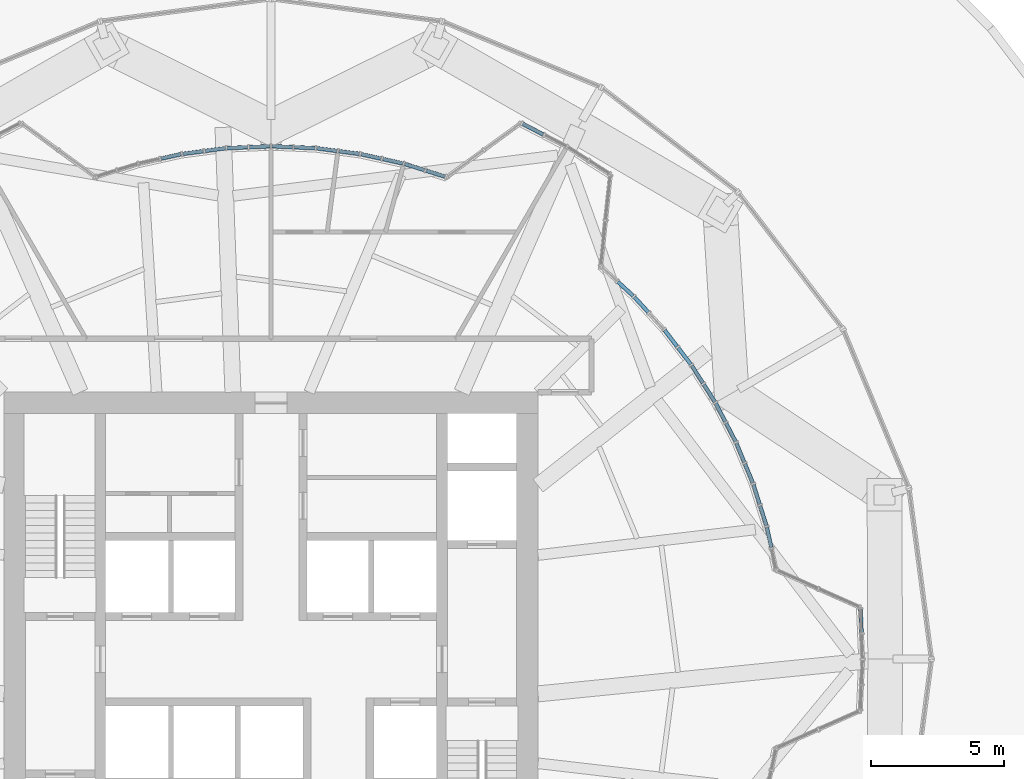
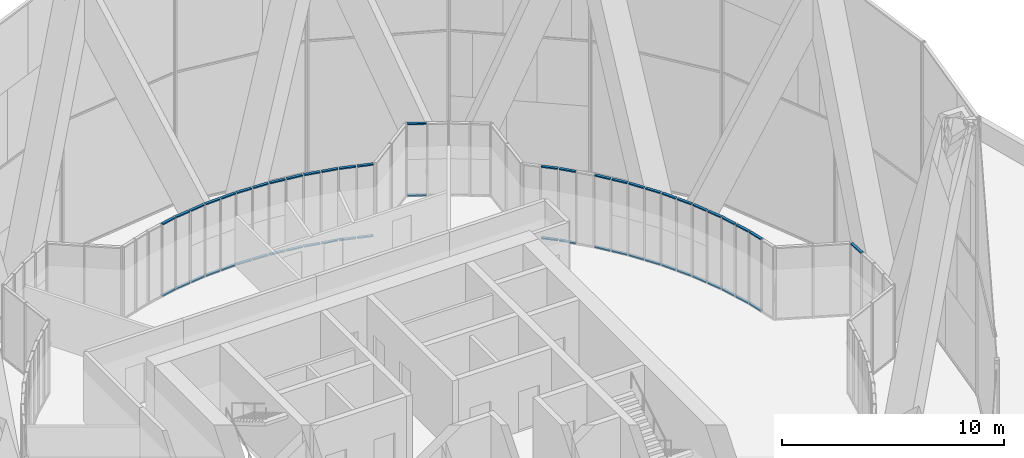
# One storey, part 14 of 27: 55 members, 17 elements without a shape of their own.
"""IFC4 building model written with IfcOpenShell, lengths in metres."""

from ifc_helpers import new_model, si_unit, direction, frame, origin, origin_2d, place, context, subcontext, project, spatial, rectangle, extrude, material, material_profile, profile_set, type_object, element, aggregate, save


model = new_model("IFC4")

# Units and contexts
model_context = context("Model", 3, precision=1e-05, world=origin(), true_north=direction((0.0, 1.0)))
body_context = subcontext(model_context, "Body", "Model", "MODEL_VIEW")
ifc_project = project(units=[si_unit("LENGTHUNIT", "METRE"), si_unit("AREAUNIT", "SQUARE_METRE"), si_unit("VOLUMEUNIT", "CUBIC_METRE"), si_unit("PLANEANGLEUNIT", "RADIAN"), si_unit("MASSUNIT", "GRAM", prefix="KILO")], contexts=[model_context])

# Site, building, storey
site_placement = place(None, origin())
site = spatial("IfcSite", under=ifc_project, at=site_placement, CompositionType="ELEMENT")
building_placement = place(site_placement, origin())
building = spatial("IfcBuilding", under=site, at=building_placement, Name="Golbaran Civic Tower", CompositionType="ELEMENT")
storey_placement = place(building_placement, frame((0.0, 0.0, 21.0)))
storey = spatial("IfcBuildingStorey", under=building, at=storey_placement, Name="L04", CompositionType="ELEMENT", Elevation=21.0)

# Curtain wall, member
ifc_material_1 = material(Name="Aluminium and glass", Category="aluminium")
curtain_wall_type = type_object("IfcCurtainWallType", Name="INNER SKIN CURTAIN WALL", PredefinedType="NOTDEFINED", material=ifc_material_1)
curtain_wall_1_placement = place(storey_placement, origin())
curtain_wall_1 = element("IfcCurtainWall", 1, at=curtain_wall_1_placement, inside=storey, type_object=curtain_wall_type, Name="Inner skin L04 facet 1 CW1", ObjectType="INNER SKIN", PredefinedType="USERDEFINED")
ifc_material_2 = material(Name="Aluminium", Category="aluminium")
ifc_material_profile = material_profile(ifc_material_2, rectangle(XDim=0.139892578125, YDim=0.06494140625, at=origin_2d()), Name="INNER SKIN CURTAIN WALL TRANSOM")
ifc_profile_set = profile_set([ifc_material_profile], Name="Aluminium")
member_type = type_object("IfcMemberType", Name="INNER SKIN CURTAIN WALL TRANSOM", PredefinedType="USERDEFINED", material=ifc_profile_set)
member_1_placement = place(storey_placement, frame((22.116455078125, 0.998046875, 3.967529296875), z_axis=(-0.043534733393, 0.999051914061, 0.0), x_axis=(-0.999051914061, -0.043534733393, 0.0)))
member_1 = element("IfcMember", 2, at=member_1_placement, type_object=member_type, Name="CW1 transom 2.2", ObjectType="TRANSOM", PredefinedType="USERDEFINED", context=body_context, shape_type="SweptSolid", body=[
    extrude(rectangle(XDim=0.139892578125, YDim=0.06494140625, at=origin_2d()), origin(), (0.0, 0.0, 1.0), 0.869140625),
])
aggregate(curtain_wall_1, [member_1])

# Curtain wall, members
curtain_wall_2_placement = place(storey_placement, origin())
curtain_wall_2 = element("IfcCurtainWall", 3, at=curtain_wall_2_placement, inside=storey, type_object=curtain_wall_type, Name="Inner skin L04 facet 3 CW1", ObjectType="INNER SKIN", PredefinedType="USERDEFINED")
member_2_placement = place(storey_placement, frame((18.734619140625, 4.186767578125, 0.032470703125), z_axis=(-0.216361878864, 0.976313237324, 0.0), x_axis=(-0.976313237324, -0.216361878864, 0.0)))
member_2 = element("IfcMember", 4, at=member_2_placement, type_object=member_type, Name="CW1 transom 2.1", ObjectType="TRANSOM", PredefinedType="USERDEFINED", context=body_context, shape_type="SweptSolid", body=[
    extrude(rectangle(XDim=0.139892578125, YDim=0.06494140625, at=origin_2d()), origin(), (0.0, 0.0, 1.0), 0.77294921875),
])
member_3_placement = place(storey_placement, frame((18.734619140625, 4.186767578125, 3.967529296875), z_axis=(-0.216361878864, 0.976313237324, 0.0), x_axis=(-0.976313237324, -0.216361878864, 0.0)))
member_3 = element("IfcMember", 5, at=member_3_placement, type_object=member_type, Name="CW1 transom 2.2", ObjectType="TRANSOM", PredefinedType="USERDEFINED", context=body_context, shape_type="SweptSolid", body=[
    extrude(rectangle(XDim=0.139892578125, YDim=0.06494140625, at=origin_2d()), origin(), (0.0, 0.0, 1.0), 0.77294921875),
])
aggregate(curtain_wall_2, [member_2, member_3])

curtain_wall_3_placement = place(storey_placement, origin())
curtain_wall_3 = element("IfcCurtainWall", 6, at=curtain_wall_3_placement, inside=storey, type_object=curtain_wall_type, Name="Inner skin L04 facet 4 CW1", ObjectType="INNER SKIN", PredefinedType="USERDEFINED")
member_4_placement = place(storey_placement, frame((18.550537109375, 5.004150390625, 0.032470703125), z_axis=(-0.300647676105, 0.953735275038, 0.0), x_axis=(-0.953735275038, -0.300647676105, 0.0)))
member_4 = element("IfcMember", 7, at=member_4_placement, type_object=member_type, Name="CW1 transom 1.1", ObjectType="TRANSOM", PredefinedType="USERDEFINED", context=body_context, shape_type="SweptSolid", body=[
    extrude(rectangle(XDim=0.139892578125, YDim=0.06494140625, at=origin_2d()), origin(), (0.0, 0.0, 1.0), 0.77294921875),
])
member_5_placement = place(storey_placement, frame((18.550537109375, 5.004150390625, 3.967529296875), z_axis=(-0.300647676105, 0.953735275038, 0.0), x_axis=(-0.953735275038, -0.300647676105, 0.0)))
member_5 = element("IfcMember", 8, at=member_5_placement, type_object=member_type, Name="CW1 transom 1.2", ObjectType="TRANSOM", PredefinedType="USERDEFINED", context=body_context, shape_type="SweptSolid", body=[
    extrude(rectangle(XDim=0.139892578125, YDim=0.06494140625, at=origin_2d()), origin(), (0.0, 0.0, 1.0), 0.77294921875),
])
member_6_placement = place(storey_placement, frame((18.29833984375, 5.803466796875, 0.032470703125), z_axis=(-0.300557148234, 0.953763807578, 0.0), x_axis=(-0.953763807578, -0.300557148234, 0.0)))
member_6 = element("IfcMember", 9, at=member_6_placement, type_object=member_type, Name="CW1 transom 2.1", ObjectType="TRANSOM", PredefinedType="USERDEFINED", context=body_context, shape_type="SweptSolid", body=[
    extrude(rectangle(XDim=0.139892578125, YDim=0.06494140625, at=origin_2d()), origin(), (0.0, 0.0, 1.0), 0.773193359375),
])
member_7_placement = place(storey_placement, frame((18.29833984375, 5.803466796875, 3.967529296875), z_axis=(-0.300557148234, 0.953763807578, 0.0), x_axis=(-0.953763807578, -0.300557148234, 0.0)))
member_7 = element("IfcMember", 10, at=member_7_placement, type_object=member_type, Name="CW1 transom 2.2", ObjectType="TRANSOM", PredefinedType="USERDEFINED", context=body_context, shape_type="SweptSolid", body=[
    extrude(rectangle(XDim=0.139892578125, YDim=0.06494140625, at=origin_2d()), origin(), (0.0, 0.0, 1.0), 0.773193359375),
])
aggregate(curtain_wall_3, [member_4, member_5, member_6, member_7])

curtain_wall_4_placement = place(storey_placement, origin())
curtain_wall_4 = element("IfcCurtainWall", 11, at=curtain_wall_4_placement, inside=storey, type_object=curtain_wall_type, Name="Inner skin L04 facet 5 CW1", ObjectType="INNER SKIN", PredefinedType="USERDEFINED")
member_8_placement = place(storey_placement, frame((18.043701171875, 6.60205078125, 0.032470703125), z_axis=(-0.38279809258, 0.923832030359, 0.0), x_axis=(-0.923832030359, -0.38279809258, 0.0)))
member_8 = element("IfcMember", 12, at=member_8_placement, type_object=member_type, Name="CW1 transom 1.1", ObjectType="TRANSOM", PredefinedType="USERDEFINED", context=body_context, shape_type="SweptSolid", body=[
    extrude(rectangle(XDim=0.139892578125, YDim=0.06494140625, at=origin_2d()), origin(), (0.0, 0.0, 1.0), 0.77294921875),
])
member_9_placement = place(storey_placement, frame((18.043701171875, 6.60205078125, 3.967529296875), z_axis=(-0.38279809258, 0.923832030359, 0.0), x_axis=(-0.923832030359, -0.38279809258, 0.0)))
member_9 = element("IfcMember", 13, at=member_9_placement, type_object=member_type, Name="CW1 transom 1.2", ObjectType="TRANSOM", PredefinedType="USERDEFINED", context=body_context, shape_type="SweptSolid", body=[
    extrude(rectangle(XDim=0.139892578125, YDim=0.06494140625, at=origin_2d()), origin(), (0.0, 0.0, 1.0), 0.77294921875),
])
member_10_placement = place(storey_placement, frame((17.722900390625, 7.376220703125, 0.032470703125), z_axis=(-0.382416872552, 0.923989900155, 0.0), x_axis=(-0.923989900155, -0.382416872552, 0.0)))
member_10 = element("IfcMember", 14, at=member_10_placement, type_object=member_type, Name="CW1 transom 2.1", ObjectType="TRANSOM", PredefinedType="USERDEFINED", context=body_context, shape_type="SweptSolid", body=[
    extrude(rectangle(XDim=0.139892578125, YDim=0.06494140625, at=origin_2d()), origin(), (0.0, 0.0, 1.0), 0.773193359375),
])
member_11_placement = place(storey_placement, frame((17.722900390625, 7.376220703125, 3.967529296875), z_axis=(-0.382416872552, 0.923989900155, 0.0), x_axis=(-0.923989900155, -0.382416872552, 0.0)))
member_11 = element("IfcMember", 15, at=member_11_placement, type_object=member_type, Name="CW1 transom 2.2", ObjectType="TRANSOM", PredefinedType="USERDEFINED", context=body_context, shape_type="SweptSolid", body=[
    extrude(rectangle(XDim=0.139892578125, YDim=0.06494140625, at=origin_2d()), origin(), (0.0, 0.0, 1.0), 0.773193359375),
])
aggregate(curtain_wall_4, [member_8, member_9, member_10, member_11])

curtain_wall_5_placement = place(storey_placement, origin())
curtain_wall_5 = element("IfcCurtainWall", 16, at=curtain_wall_5_placement, inside=storey, type_object=curtain_wall_type, Name="Inner skin L04 facet 6 CW1", ObjectType="INNER SKIN", PredefinedType="USERDEFINED")
member_12_placement = place(storey_placement, frame((17.399658203125, 8.1494140625, 0.032470703125), z_axis=(-0.461680821469, 0.887046120045, 0.0), x_axis=(-0.887046120045, -0.461680821469, 0.0)))
member_12 = element("IfcMember", 17, at=member_12_placement, type_object=member_type, Name="CW1 transom 1.1", ObjectType="TRANSOM", PredefinedType="USERDEFINED", context=body_context, shape_type="SweptSolid", body=[
    extrude(rectangle(XDim=0.139892578125, YDim=0.06494140625, at=origin_2d()), origin(), (0.0, 0.0, 1.0), 0.773193359375),
])
member_13_placement = place(storey_placement, frame((17.399658203125, 8.1494140625, 3.967529296875), z_axis=(-0.461680821469, 0.887046120045, 0.0), x_axis=(-0.887046120045, -0.461680821469, 0.0)))
member_13 = element("IfcMember", 18, at=member_13_placement, type_object=member_type, Name="CW1 transom 1.2", ObjectType="TRANSOM", PredefinedType="USERDEFINED", context=body_context, shape_type="SweptSolid", body=[
    extrude(rectangle(XDim=0.139892578125, YDim=0.06494140625, at=origin_2d()), origin(), (0.0, 0.0, 1.0), 0.773193359375),
])
member_14_placement = place(storey_placement, frame((17.0126953125, 8.892822265625, 0.032470703125), z_axis=(-0.461680821469, 0.887046120045, 0.0), x_axis=(-0.887046120045, -0.461680821469, 0.0)))
member_14 = element("IfcMember", 19, at=member_14_placement, type_object=member_type, Name="CW1 transom 2.1", ObjectType="TRANSOM", PredefinedType="USERDEFINED", context=body_context, shape_type="SweptSolid", body=[
    extrude(rectangle(XDim=0.139892578125, YDim=0.06494140625, at=origin_2d()), origin(), (0.0, 0.0, 1.0), 0.773193359375),
])
member_15_placement = place(storey_placement, frame((17.0126953125, 8.892822265625, 3.967529296875), z_axis=(-0.461680821469, 0.887046120045, 0.0), x_axis=(-0.887046120045, -0.461680821469, 0.0)))
member_15 = element("IfcMember", 20, at=member_15_placement, type_object=member_type, Name="CW1 transom 2.2", ObjectType="TRANSOM", PredefinedType="USERDEFINED", context=body_context, shape_type="SweptSolid", body=[
    extrude(rectangle(XDim=0.139892578125, YDim=0.06494140625, at=origin_2d()), origin(), (0.0, 0.0, 1.0), 0.773193359375),
])
aggregate(curtain_wall_5, [member_12, member_13, member_14, member_15])

curtain_wall_6_placement = place(storey_placement, origin())
curtain_wall_6 = element("IfcCurtainWall", 21, at=curtain_wall_6_placement, inside=storey, type_object=curtain_wall_type, Name="Inner skin L04 facet 7 CW1", ObjectType="INNER SKIN", PredefinedType="USERDEFINED")
member_16_placement = place(storey_placement, frame((16.623291015625, 9.635009765625, 0.032470703125), z_axis=(-0.537529268504, 0.843245092189, 0.0), x_axis=(-0.843245092189, -0.537529268504, 0.0)))
member_16 = element("IfcMember", 22, at=member_16_placement, type_object=member_type, Name="CW1 transom 1.1", ObjectType="TRANSOM", PredefinedType="USERDEFINED", context=body_context, shape_type="SweptSolid", body=[
    extrude(rectangle(XDim=0.139892578125, YDim=0.06494140625, at=origin_2d()), origin(), (0.0, 0.0, 1.0), 0.77294921875),
])
member_17_placement = place(storey_placement, frame((16.623291015625, 9.635009765625, 3.967529296875), z_axis=(-0.537529268504, 0.843245092189, 0.0), x_axis=(-0.843245092189, -0.537529268504, 0.0)))
member_17 = element("IfcMember", 23, at=member_17_placement, type_object=member_type, Name="CW1 transom 1.2", ObjectType="TRANSOM", PredefinedType="USERDEFINED", context=body_context, shape_type="SweptSolid", body=[
    extrude(rectangle(XDim=0.139892578125, YDim=0.06494140625, at=origin_2d()), origin(), (0.0, 0.0, 1.0), 0.77294921875),
])
member_18_placement = place(storey_placement, frame((16.1728515625, 10.341796875, 0.032470703125), z_axis=(-0.537161531377, 0.843479394655, 0.0), x_axis=(-0.843479394655, -0.537161531377, 0.0)))
member_18 = element("IfcMember", 24, at=member_18_placement, type_object=member_type, Name="CW1 transom 2.1", ObjectType="TRANSOM", PredefinedType="USERDEFINED", context=body_context, shape_type="SweptSolid", body=[
    extrude(rectangle(XDim=0.139892578125, YDim=0.06494140625, at=origin_2d()), origin(), (0.0, 0.0, 1.0), 0.773193359375),
])
member_19_placement = place(storey_placement, frame((16.1728515625, 10.341796875, 3.967529296875), z_axis=(-0.537161531377, 0.843479394655, 0.0), x_axis=(-0.843479394655, -0.537161531377, 0.0)))
member_19 = element("IfcMember", 25, at=member_19_placement, type_object=member_type, Name="CW1 transom 2.2", ObjectType="TRANSOM", PredefinedType="USERDEFINED", context=body_context, shape_type="SweptSolid", body=[
    extrude(rectangle(XDim=0.139892578125, YDim=0.06494140625, at=origin_2d()), origin(), (0.0, 0.0, 1.0), 0.773193359375),
])
aggregate(curtain_wall_6, [member_16, member_17, member_18, member_19])

curtain_wall_7_placement = place(storey_placement, origin())
curtain_wall_7 = element("IfcCurtainWall", 26, at=curtain_wall_7_placement, inside=storey, type_object=curtain_wall_type, Name="Inner skin L04 facet 8 CW1", ObjectType="INNER SKIN", PredefinedType="USERDEFINED")
member_20_placement = place(storey_placement, frame((15.72021484375, 11.047119140625, 0.032470703125), z_axis=(-0.608855759976, 0.793280948683, 0.0), x_axis=(-0.793280948683, -0.608855759976, 0.0)))
member_20 = element("IfcMember", 27, at=member_20_placement, type_object=member_type, Name="CW1 transom 1.1", ObjectType="TRANSOM", PredefinedType="USERDEFINED", context=body_context, shape_type="SweptSolid", body=[
    extrude(rectangle(XDim=0.139892578125, YDim=0.06494140625, at=origin_2d()), origin(), (0.0, 0.0, 1.0), 0.773193359375),
])
member_21_placement = place(storey_placement, frame((15.72021484375, 11.047119140625, 3.967529296875), z_axis=(-0.608855759976, 0.793280948683, 0.0), x_axis=(-0.793280948683, -0.608855759976, 0.0)))
member_21 = element("IfcMember", 28, at=member_21_placement, type_object=member_type, Name="CW1 transom 1.2", ObjectType="TRANSOM", PredefinedType="USERDEFINED", context=body_context, shape_type="SweptSolid", body=[
    extrude(rectangle(XDim=0.139892578125, YDim=0.06494140625, at=origin_2d()), origin(), (0.0, 0.0, 1.0), 0.773193359375),
])
member_22_placement = place(storey_placement, frame((15.2099609375, 11.7119140625, 0.032470703125), z_axis=(-0.608703259192, 0.793397972173, 0.0), x_axis=(-0.793397972173, -0.608703259192, 0.0)))
member_22 = element("IfcMember", 29, at=member_22_placement, type_object=member_type, Name="CW1 transom 2.1", ObjectType="TRANSOM", PredefinedType="USERDEFINED", context=body_context, shape_type="SweptSolid", body=[
    extrude(rectangle(XDim=0.139892578125, YDim=0.06494140625, at=origin_2d()), origin(), (0.0, 0.0, 1.0), 0.773193359375),
])
member_23_placement = place(storey_placement, frame((15.2099609375, 11.7119140625, 3.967529296875), z_axis=(-0.608703259192, 0.793397972173, 0.0), x_axis=(-0.793397972173, -0.608703259192, 0.0)))
member_23 = element("IfcMember", 30, at=member_23_placement, type_object=member_type, Name="CW1 transom 2.2", ObjectType="TRANSOM", PredefinedType="USERDEFINED", context=body_context, shape_type="SweptSolid", body=[
    extrude(rectangle(XDim=0.139892578125, YDim=0.06494140625, at=origin_2d()), origin(), (0.0, 0.0, 1.0), 0.773193359375),
])
aggregate(curtain_wall_7, [member_20, member_21, member_22, member_23])

curtain_wall_8_placement = place(storey_placement, origin())
curtain_wall_8 = element("IfcCurtainWall", 31, at=curtain_wall_8_placement, inside=storey, type_object=curtain_wall_type, Name="Inner skin L04 facet 9 CW1", ObjectType="INNER SKIN", PredefinedType="USERDEFINED")
member_24_placement = place(storey_placement, frame((14.13134765625, 12.9931640625, 0.032470703125), z_axis=(-0.67563880356, 0.737232803885, 0.0), x_axis=(-0.737232803885, -0.67563880356, 0.0)))
member_24 = element("IfcMember", 32, at=member_24_placement, type_object=member_type, Name="CW1 transom 2.1", ObjectType="TRANSOM", PredefinedType="USERDEFINED", context=body_context, shape_type="SweptSolid", body=[
    extrude(rectangle(XDim=0.139892578125, YDim=0.06494140625, at=origin_2d()), origin(), (0.0, 0.0, 1.0), 0.77294921875),
])
member_25_placement = place(storey_placement, frame((14.13134765625, 12.9931640625, 3.967529296875), z_axis=(-0.67563880356, 0.737232803885, 0.0), x_axis=(-0.737232803885, -0.67563880356, 0.0)))
member_25 = element("IfcMember", 33, at=member_25_placement, type_object=member_type, Name="CW1 transom 2.2", ObjectType="TRANSOM", PredefinedType="USERDEFINED", context=body_context, shape_type="SweptSolid", body=[
    extrude(rectangle(XDim=0.139892578125, YDim=0.06494140625, at=origin_2d()), origin(), (0.0, 0.0, 1.0), 0.77294921875),
])
aggregate(curtain_wall_8, [member_24, member_25])

curtain_wall_9_placement = place(storey_placement, origin())
curtain_wall_9 = element("IfcCurtainWall", 34, at=curtain_wall_9_placement, inside=storey, type_object=curtain_wall_type, Name="Inner skin L04 facet 10 CW1", ObjectType="INNER SKIN", PredefinedType="USERDEFINED")
member_26_placement = place(storey_placement, frame((13.56298828125, 13.609130859375, 0.032470703125), z_axis=(-0.737232803885, 0.67563880356, 0.0), x_axis=(-0.67563880356, -0.737232803885, 0.0)))
member_26 = element("IfcMember", 35, at=member_26_placement, type_object=member_type, Name="CW1 transom 1.1", ObjectType="TRANSOM", PredefinedType="USERDEFINED", context=body_context, shape_type="SweptSolid", body=[
    extrude(rectangle(XDim=0.139892578125, YDim=0.06494140625, at=origin_2d()), origin(), (0.0, 0.0, 1.0), 0.77294921875),
])
member_27_placement = place(storey_placement, frame((13.56298828125, 13.609130859375, 3.967529296875), z_axis=(-0.737232803885, 0.67563880356, 0.0), x_axis=(-0.67563880356, -0.737232803885, 0.0)))
member_27 = element("IfcMember", 36, at=member_27_placement, type_object=member_type, Name="CW1 transom 1.2", ObjectType="TRANSOM", PredefinedType="USERDEFINED", context=body_context, shape_type="SweptSolid", body=[
    extrude(rectangle(XDim=0.139892578125, YDim=0.06494140625, at=origin_2d()), origin(), (0.0, 0.0, 1.0), 0.77294921875),
])
aggregate(curtain_wall_9, [member_26, member_27])

curtain_wall_10_placement = place(storey_placement, origin())
curtain_wall_10 = element("IfcCurtainWall", 37, at=curtain_wall_10_placement, inside=storey, type_object=curtain_wall_type, Name="Inner skin L04 facet 13 CW1", ObjectType="INNER SKIN", PredefinedType="USERDEFINED")
member_28_placement = place(storey_placement, frame((10.19384765625, 19.65234375, 0.032470703125), z_axis=(-0.887005166894, 0.461759497902, 0.0), x_axis=(-0.461759497902, -0.887005166894, 0.0)))
member_28 = element("IfcMember", 38, at=member_28_placement, type_object=member_type, Name="CW1 transom 2.1", ObjectType="TRANSOM", PredefinedType="USERDEFINED", context=body_context, shape_type="SweptSolid", body=[
    extrude(rectangle(XDim=0.139892578125, YDim=0.06494140625, at=origin_2d()), origin(), (0.0, 0.0, 1.0), 0.869140625),
])
member_29_placement = place(storey_placement, frame((10.19384765625, 19.65234375, 3.967529296875), z_axis=(-0.887005166894, 0.461759497902, 0.0), x_axis=(-0.461759497902, -0.887005166894, 0.0)))
member_29 = element("IfcMember", 39, at=member_29_placement, type_object=member_type, Name="CW1 transom 2.2", ObjectType="TRANSOM", PredefinedType="USERDEFINED", context=body_context, shape_type="SweptSolid", body=[
    extrude(rectangle(XDim=0.139892578125, YDim=0.06494140625, at=origin_2d()), origin(), (0.0, 0.0, 1.0), 0.869140625),
])
aggregate(curtain_wall_10, [member_28, member_29])

curtain_wall_11_placement = place(storey_placement, origin())
curtain_wall_11 = element("IfcCurtainWall", 40, at=curtain_wall_11_placement, inside=storey, type_object=curtain_wall_type, Name="Inner skin L04 facet 15 CW1", ObjectType="INNER SKIN", PredefinedType="USERDEFINED")
member_30_placement = place(storey_placement, frame((6.510009765625, 18.07568359375, 0.032470703125), z_axis=(-0.953761806135, 0.300563499376, 0.0), x_axis=(-0.300563499376, -0.953761806135, 0.0)))
member_30 = element("IfcMember", 41, at=member_30_placement, type_object=member_type, Name="CW1 transom 1.1", ObjectType="TRANSOM", PredefinedType="USERDEFINED", context=body_context, shape_type="SweptSolid", body=[
    extrude(rectangle(XDim=0.139892578125, YDim=0.06494140625, at=origin_2d()), origin(), (0.0, 0.0, 1.0), 0.74072265625),
])
member_31_placement = place(storey_placement, frame((6.510009765625, 18.07568359375, 3.967529296875), z_axis=(-0.953761806135, 0.300563499376, 0.0), x_axis=(-0.300563499376, -0.953761806135, 0.0)))
member_31 = element("IfcMember", 42, at=member_31_placement, type_object=member_type, Name="CW1 transom 1.2", ObjectType="TRANSOM", PredefinedType="USERDEFINED", context=body_context, shape_type="SweptSolid", body=[
    extrude(rectangle(XDim=0.139892578125, YDim=0.06494140625, at=origin_2d()), origin(), (0.0, 0.0, 1.0), 0.74072265625),
])
member_32_placement = place(storey_placement, frame((5.741455078125, 18.318115234375, 0.032470703125), z_axis=(-0.953735275038, 0.300647676105, 0.0), x_axis=(-0.300647676105, -0.953735275038, 0.0)))
member_32 = element("IfcMember", 43, at=member_32_placement, type_object=member_type, Name="CW1 transom 2.1", ObjectType="TRANSOM", PredefinedType="USERDEFINED", context=body_context, shape_type="SweptSolid", body=[
    extrude(rectangle(XDim=0.139892578125, YDim=0.06494140625, at=origin_2d()), origin(), (0.0, 0.0, 1.0), 0.77294921875),
])
member_33_placement = place(storey_placement, frame((5.741455078125, 18.318115234375, 3.967529296875), z_axis=(-0.953735275038, 0.300647676105, 0.0), x_axis=(-0.300647676105, -0.953735275038, 0.0)))
member_33 = element("IfcMember", 44, at=member_33_placement, type_object=member_type, Name="CW1 transom 2.2", ObjectType="TRANSOM", PredefinedType="USERDEFINED", context=body_context, shape_type="SweptSolid", body=[
    extrude(rectangle(XDim=0.139892578125, YDim=0.06494140625, at=origin_2d()), origin(), (0.0, 0.0, 1.0), 0.77294921875),
])
aggregate(curtain_wall_11, [member_30, member_31, member_32, member_33])

curtain_wall_12_placement = place(storey_placement, origin())
curtain_wall_12 = element("IfcCurtainWall", 45, at=curtain_wall_12_placement, inside=storey, type_object=curtain_wall_type, Name="Inner skin L04 facet 16 CW1", ObjectType="INNER SKIN", PredefinedType="USERDEFINED")
member_34_placement = place(storey_placement, frame((4.94140625, 18.5673828125, 0.032470703125), z_axis=(-0.976313237324, 0.216361878864, 0.0), x_axis=(-0.216361878864, -0.976313237324, 0.0)))
member_34 = element("IfcMember", 46, at=member_34_placement, type_object=member_type, Name="CW1 transom 1.1", ObjectType="TRANSOM", PredefinedType="USERDEFINED", context=body_context, shape_type="SweptSolid", body=[
    extrude(rectangle(XDim=0.139892578125, YDim=0.06494140625, at=origin_2d()), origin(), (0.0, 0.0, 1.0), 0.77294921875),
])
member_35_placement = place(storey_placement, frame((4.94140625, 18.5673828125, 3.967529296875), z_axis=(-0.976313237324, 0.216361878864, 0.0), x_axis=(-0.216361878864, -0.976313237324, 0.0)))
member_35 = element("IfcMember", 47, at=member_35_placement, type_object=member_type, Name="CW1 transom 1.2", ObjectType="TRANSOM", PredefinedType="USERDEFINED", context=body_context, shape_type="SweptSolid", body=[
    extrude(rectangle(XDim=0.139892578125, YDim=0.06494140625, at=origin_2d()), origin(), (0.0, 0.0, 1.0), 0.77294921875),
])
member_36_placement = place(storey_placement, frame((4.123291015625, 18.748779296875, 0.032470703125), z_axis=(-0.97632801652, 0.216295178304, 0.0), x_axis=(-0.216295178304, -0.97632801652, 0.0)))
member_36 = element("IfcMember", 48, at=member_36_placement, type_object=member_type, Name="CW1 transom 2.1", ObjectType="TRANSOM", PredefinedType="USERDEFINED", context=body_context, shape_type="SweptSolid", body=[
    extrude(rectangle(XDim=0.139892578125, YDim=0.06494140625, at=origin_2d()), origin(), (0.0, 0.0, 1.0), 0.773193359375),
])
member_37_placement = place(storey_placement, frame((4.123291015625, 18.748779296875, 3.967529296875), z_axis=(-0.97632801652, 0.216295178304, 0.0), x_axis=(-0.216295178304, -0.97632801652, 0.0)))
member_37 = element("IfcMember", 49, at=member_37_placement, type_object=member_type, Name="CW1 transom 2.2", ObjectType="TRANSOM", PredefinedType="USERDEFINED", context=body_context, shape_type="SweptSolid", body=[
    extrude(rectangle(XDim=0.139892578125, YDim=0.06494140625, at=origin_2d()), origin(), (0.0, 0.0, 1.0), 0.773193359375),
])
aggregate(curtain_wall_12, [member_34, member_35, member_36, member_37])

curtain_wall_13_placement = place(storey_placement, origin())
curtain_wall_13 = element("IfcCurtainWall", 50, at=curtain_wall_13_placement, inside=storey, type_object=curtain_wall_type, Name="Inner skin L04 facet 17 CW1", ObjectType="INNER SKIN", PredefinedType="USERDEFINED")
member_38_placement = place(storey_placement, frame((3.304443359375, 18.92724609375, 0.032470703125), z_axis=(-0.99141987157, 0.130715868417, 0.0), x_axis=(-0.130715868417, -0.99141987157, 0.0)))
member_38 = element("IfcMember", 51, at=member_38_placement, type_object=member_type, Name="CW1 transom 1.1", ObjectType="TRANSOM", PredefinedType="USERDEFINED", context=body_context, shape_type="SweptSolid", body=[
    extrude(rectangle(XDim=0.139892578125, YDim=0.06494140625, at=origin_2d()), origin(), (0.0, 0.0, 1.0), 0.773193359375),
])
member_39_placement = place(storey_placement, frame((3.304443359375, 18.92724609375, 3.967529296875), z_axis=(-0.99141987157, 0.130715868417, 0.0), x_axis=(-0.130715868417, -0.99141987157, 0.0)))
member_39 = element("IfcMember", 52, at=member_39_placement, type_object=member_type, Name="CW1 transom 1.2", ObjectType="TRANSOM", PredefinedType="USERDEFINED", context=body_context, shape_type="SweptSolid", body=[
    extrude(rectangle(XDim=0.139892578125, YDim=0.06494140625, at=origin_2d()), origin(), (0.0, 0.0, 1.0), 0.773193359375),
])
member_40_placement = place(storey_placement, frame((2.473388671875, 19.03662109375, 0.032470703125), z_axis=(-0.991414474121, 0.130756799072, 0.0), x_axis=(-0.130756799072, -0.991414474121, 0.0)))
member_40 = element("IfcMember", 53, at=member_40_placement, type_object=member_type, Name="CW1 transom 2.1", ObjectType="TRANSOM", PredefinedType="USERDEFINED", context=body_context, shape_type="SweptSolid", body=[
    extrude(rectangle(XDim=0.139892578125, YDim=0.06494140625, at=origin_2d()), origin(), (0.0, 0.0, 1.0), 0.77294921875),
])
member_41_placement = place(storey_placement, frame((2.473388671875, 19.03662109375, 3.967529296875), z_axis=(-0.991414474121, 0.130756799072, 0.0), x_axis=(-0.130756799072, -0.991414474121, 0.0)))
member_41 = element("IfcMember", 54, at=member_41_placement, type_object=member_type, Name="CW1 transom 2.2", ObjectType="TRANSOM", PredefinedType="USERDEFINED", context=body_context, shape_type="SweptSolid", body=[
    extrude(rectangle(XDim=0.139892578125, YDim=0.06494140625, at=origin_2d()), origin(), (0.0, 0.0, 1.0), 0.77294921875),
])
aggregate(curtain_wall_13, [member_38, member_39, member_40, member_41])

curtain_wall_14_placement = place(storey_placement, origin())
curtain_wall_14 = element("IfcCurtainWall", 55, at=curtain_wall_14_placement, inside=storey, type_object=curtain_wall_type, Name="Inner skin L04 facet 18 CW1", ObjectType="INNER SKIN", PredefinedType="USERDEFINED")
member_42_placement = place(storey_placement, frame((1.642333984375, 19.143310546875, 0.032470703125), z_axis=(-0.999050191308, 0.043574249811, 0.0), x_axis=(-0.043574249811, -0.999050191308, 0.0)))
member_42 = element("IfcMember", 56, at=member_42_placement, type_object=member_type, Name="CW1 transom 1.1", ObjectType="TRANSOM", PredefinedType="USERDEFINED", context=body_context, shape_type="SweptSolid", body=[
    extrude(rectangle(XDim=0.139892578125, YDim=0.06494140625, at=origin_2d()), origin(), (0.0, 0.0, 1.0), 0.773193359375),
])
member_43_placement = place(storey_placement, frame((1.642333984375, 19.143310546875, 3.967529296875), z_axis=(-0.999050191308, 0.043574249811, 0.0), x_axis=(-0.043574249811, -0.999050191308, 0.0)))
member_43 = element("IfcMember", 57, at=member_43_placement, type_object=member_type, Name="CW1 transom 1.2", ObjectType="TRANSOM", PredefinedType="USERDEFINED", context=body_context, shape_type="SweptSolid", body=[
    extrude(rectangle(XDim=0.139892578125, YDim=0.06494140625, at=origin_2d()), origin(), (0.0, 0.0, 1.0), 0.773193359375),
])
member_44_placement = place(storey_placement, frame((0.804931640625, 19.179931640625, 0.032470703125), z_axis=(-0.999050191308, 0.043574249811, 0.0), x_axis=(-0.043574249811, -0.999050191308, 0.0)))
member_44 = element("IfcMember", 58, at=member_44_placement, type_object=member_type, Name="CW1 transom 2.1", ObjectType="TRANSOM", PredefinedType="USERDEFINED", context=body_context, shape_type="SweptSolid", body=[
    extrude(rectangle(XDim=0.139892578125, YDim=0.06494140625, at=origin_2d()), origin(), (0.0, 0.0, 1.0), 0.773193359375),
])
member_45_placement = place(storey_placement, frame((0.804931640625, 19.179931640625, 3.967529296875), z_axis=(-0.999050191308, 0.043574249811, 0.0), x_axis=(-0.043574249811, -0.999050191308, 0.0)))
member_45 = element("IfcMember", 59, at=member_45_placement, type_object=member_type, Name="CW1 transom 2.2", ObjectType="TRANSOM", PredefinedType="USERDEFINED", context=body_context, shape_type="SweptSolid", body=[
    extrude(rectangle(XDim=0.139892578125, YDim=0.06494140625, at=origin_2d()), origin(), (0.0, 0.0, 1.0), 0.773193359375),
])
aggregate(curtain_wall_14, [member_42, member_43, member_44, member_45])

curtain_wall_15_placement = place(storey_placement, origin())
curtain_wall_15 = element("IfcCurtainWall", 60, at=curtain_wall_15_placement, inside=storey, type_object=curtain_wall_type, Name="Inner skin L04 facet 19 CW1", ObjectType="INNER SKIN", PredefinedType="USERDEFINED")
member_46_placement = place(storey_placement, frame((-0.032470703125, 19.213623046875, 0.032470703125), z_axis=(-0.999050191308, -0.043574249811, 0.0), x_axis=(0.043574249811, -0.999050191308, 0.0)))
member_46 = element("IfcMember", 61, at=member_46_placement, type_object=member_type, Name="CW1 transom 1.1", ObjectType="TRANSOM", PredefinedType="USERDEFINED", context=body_context, shape_type="SweptSolid", body=[
    extrude(rectangle(XDim=0.139892578125, YDim=0.06494140625, at=origin_2d()), origin(), (0.0, 0.0, 1.0), 0.773193359375),
])
member_47_placement = place(storey_placement, frame((-0.032470703125, 19.213623046875, 3.967529296875), z_axis=(-0.999050191308, -0.043574249811, 0.0), x_axis=(0.043574249811, -0.999050191308, 0.0)))
member_47 = element("IfcMember", 62, at=member_47_placement, type_object=member_type, Name="CW1 transom 1.2", ObjectType="TRANSOM", PredefinedType="USERDEFINED", context=body_context, shape_type="SweptSolid", body=[
    extrude(rectangle(XDim=0.139892578125, YDim=0.06494140625, at=origin_2d()), origin(), (0.0, 0.0, 1.0), 0.773193359375),
])
member_48_placement = place(storey_placement, frame((-0.869873046875, 19.177001953125, 0.032470703125), z_axis=(-0.999050191308, -0.043574249811, 0.0), x_axis=(0.043574249811, -0.999050191308, 0.0)))
member_48 = element("IfcMember", 63, at=member_48_placement, type_object=member_type, Name="CW1 transom 2.1", ObjectType="TRANSOM", PredefinedType="USERDEFINED", context=body_context, shape_type="SweptSolid", body=[
    extrude(rectangle(XDim=0.139892578125, YDim=0.06494140625, at=origin_2d()), origin(), (0.0, 0.0, 1.0), 0.773193359375),
])
member_49_placement = place(storey_placement, frame((-0.869873046875, 19.177001953125, 3.967529296875), z_axis=(-0.999050191308, -0.043574249811, 0.0), x_axis=(0.043574249811, -0.999050191308, 0.0)))
member_49 = element("IfcMember", 64, at=member_49_placement, type_object=member_type, Name="CW1 transom 2.2", ObjectType="TRANSOM", PredefinedType="USERDEFINED", context=body_context, shape_type="SweptSolid", body=[
    extrude(rectangle(XDim=0.139892578125, YDim=0.06494140625, at=origin_2d()), origin(), (0.0, 0.0, 1.0), 0.773193359375),
])
aggregate(curtain_wall_15, [member_46, member_47, member_48, member_49])

curtain_wall_16_placement = place(storey_placement, origin())
curtain_wall_16 = element("IfcCurtainWall", 65, at=curtain_wall_16_placement, inside=storey, type_object=curtain_wall_type, Name="Inner skin L04 facet 20 CW1", ObjectType="INNER SKIN", PredefinedType="USERDEFINED")
member_50_placement = place(storey_placement, frame((-1.70703125, 19.1376953125, 0.032470703125), z_axis=(-0.991414474121, -0.130756799072, 0.0), x_axis=(0.130756799072, -0.991414474121, 0.0)))
member_50 = element("IfcMember", 66, at=member_50_placement, type_object=member_type, Name="CW1 transom 1.1", ObjectType="TRANSOM", PredefinedType="USERDEFINED", context=body_context, shape_type="SweptSolid", body=[
    extrude(rectangle(XDim=0.139892578125, YDim=0.06494140625, at=origin_2d()), origin(), (0.0, 0.0, 1.0), 0.77294921875),
])
member_51_placement = place(storey_placement, frame((-1.70703125, 19.1376953125, 3.967529296875), z_axis=(-0.991414474121, -0.130756799072, 0.0), x_axis=(0.130756799072, -0.991414474121, 0.0)))
member_51 = element("IfcMember", 67, at=member_51_placement, type_object=member_type, Name="CW1 transom 1.2", ObjectType="TRANSOM", PredefinedType="USERDEFINED", context=body_context, shape_type="SweptSolid", body=[
    extrude(rectangle(XDim=0.139892578125, YDim=0.06494140625, at=origin_2d()), origin(), (0.0, 0.0, 1.0), 0.77294921875),
])
member_52_placement = place(storey_placement, frame((-2.537841796875, 19.0283203125, 0.032470703125), z_axis=(-0.99141987157, -0.130715868417, 0.0), x_axis=(0.130715868417, -0.99141987157, 0.0)))
member_52 = element("IfcMember", 68, at=member_52_placement, type_object=member_type, Name="CW1 transom 2.1", ObjectType="TRANSOM", PredefinedType="USERDEFINED", context=body_context, shape_type="SweptSolid", body=[
    extrude(rectangle(XDim=0.139892578125, YDim=0.06494140625, at=origin_2d()), origin(), (0.0, 0.0, 1.0), 0.773193359375),
])
member_53_placement = place(storey_placement, frame((-2.537841796875, 19.0283203125, 3.967529296875), z_axis=(-0.99141987157, -0.130715868417, 0.0), x_axis=(0.130715868417, -0.99141987157, 0.0)))
member_53 = element("IfcMember", 69, at=member_53_placement, type_object=member_type, Name="CW1 transom 2.2", ObjectType="TRANSOM", PredefinedType="USERDEFINED", context=body_context, shape_type="SweptSolid", body=[
    extrude(rectangle(XDim=0.139892578125, YDim=0.06494140625, at=origin_2d()), origin(), (0.0, 0.0, 1.0), 0.773193359375),
])
aggregate(curtain_wall_16, [member_50, member_51, member_52, member_53])

curtain_wall_17_placement = place(storey_placement, origin())
curtain_wall_17 = element("IfcCurtainWall", 70, at=curtain_wall_17_placement, inside=storey, type_object=curtain_wall_type, Name="Inner skin L04 facet 21 CW1", ObjectType="INNER SKIN", PredefinedType="USERDEFINED")
member_54_placement = place(storey_placement, frame((-3.368408203125, 18.916015625, 0.032470703125), z_axis=(-0.97632801652, -0.216295178304, 0.0), x_axis=(0.216295178304, -0.97632801652, 0.0)))
member_54 = element("IfcMember", 71, at=member_54_placement, type_object=member_type, Name="CW1 transom 1.1", ObjectType="TRANSOM", PredefinedType="USERDEFINED", context=body_context, shape_type="SweptSolid", body=[
    extrude(rectangle(XDim=0.139892578125, YDim=0.06494140625, at=origin_2d()), origin(), (0.0, 0.0, 1.0), 0.773193359375),
])
member_55_placement = place(storey_placement, frame((-3.368408203125, 18.916015625, 3.967529296875), z_axis=(-0.97632801652, -0.216295178304, 0.0), x_axis=(0.216295178304, -0.97632801652, 0.0)))
member_55 = element("IfcMember", 72, at=member_55_placement, type_object=member_type, Name="CW1 transom 1.2", ObjectType="TRANSOM", PredefinedType="USERDEFINED", context=body_context, shape_type="SweptSolid", body=[
    extrude(rectangle(XDim=0.139892578125, YDim=0.06494140625, at=origin_2d()), origin(), (0.0, 0.0, 1.0), 0.773193359375),
])
aggregate(curtain_wall_17, [member_54, member_55])

save(model, "model.ifc")
